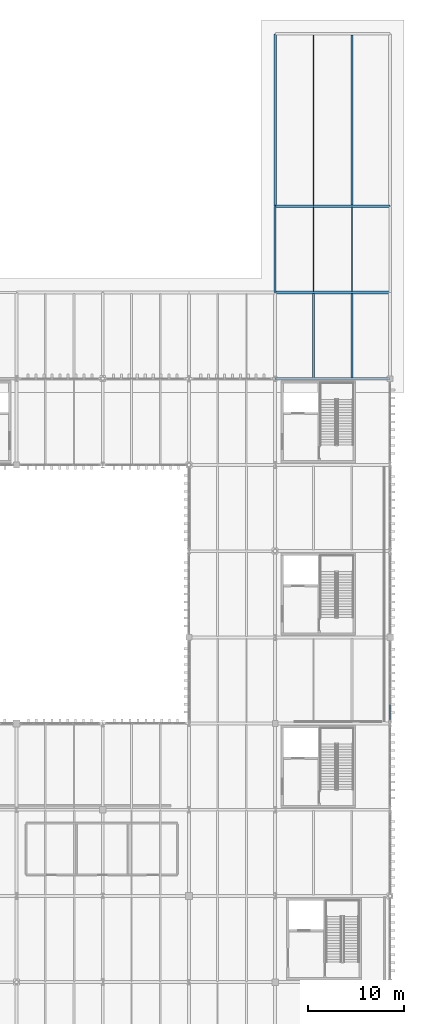
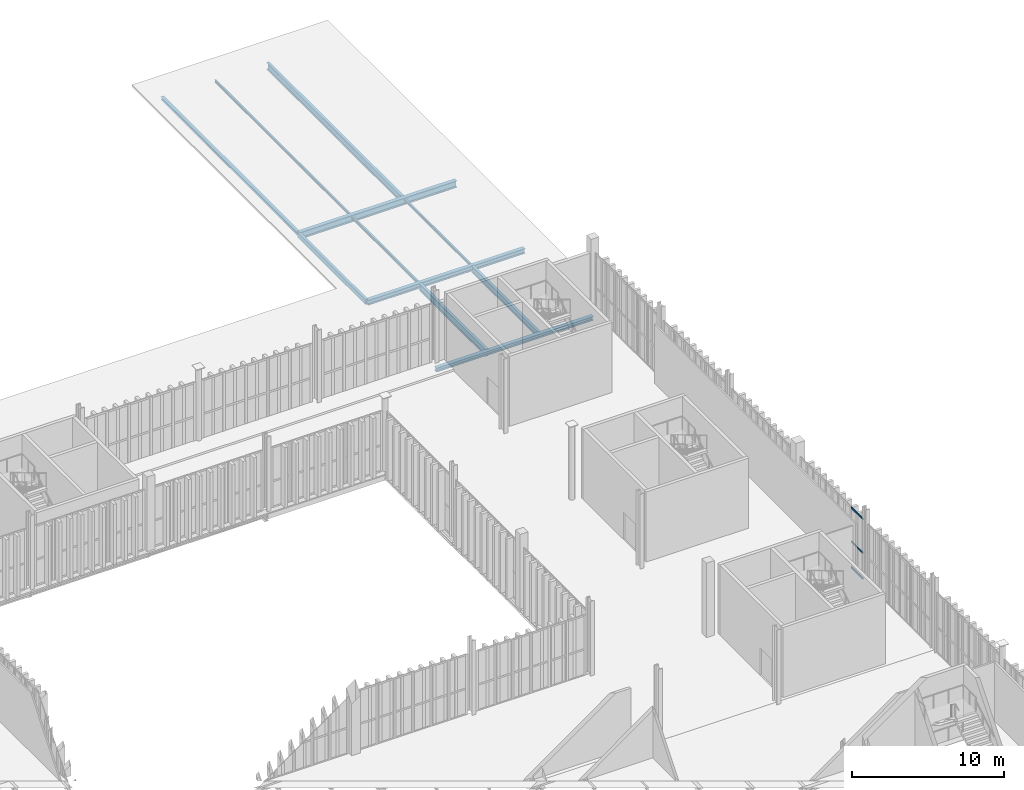
# One storey, part 160 of 237: 11 beams, 3 members, 1 element without a shape of its own.
"""IFC4 building model written with IfcOpenShell, lengths in metres."""

import ifcopenshell
import ifcopenshell.guid

model = None  # the IFC model being written
_history = None  # IfcOwnerHistory: only IFC2X3 demands one
_inside = {}  # id of a spatial element -> (the spatial element, [elements in it])
_under = {}  # id of a project, library or spatial element -> (it, [spatial elements below it])
_declared = {}  # id of a project -> (the project, [libraries it declares])
_typed = {}  # id of a type object -> (the type object, [elements of that type])
_made_of = {}  # id of a material, layer set ... -> (it, [elements and type objects made of it])


def new_model(schema):
    """Start an empty IFC model of exactly this schema.

    Asked for "IFC4X3", IfcOpenShell would pick the latest addendum, in which some entities
    have other attributes; the version numbers below select the first issue.
    IFC2X3 requires an IfcOwnerHistory on every rooted entity: one is made here for all.
    """
    global model, _history
    if schema == "IFC4X3":
        model = ifcopenshell.file(schema_version=(4, 3, 0, 0))
    else:
        model = ifcopenshell.file(schema=schema)
    _inside.clear()
    _under.clear()
    _declared.clear()
    _typed.clear()
    _made_of.clear()
    _history = None
    if model.schema == "IFC2X3":
        org = make("IfcOrganization", Name="unknown")
        user = make(
            "IfcPersonAndOrganization",
            ThePerson=make("IfcPerson", FamilyName="unknown"),
            TheOrganization=org,
        )
        app = make(
            "IfcApplication",
            ApplicationDeveloper=org,
            Version="unknown",
            ApplicationFullName="unknown",
            ApplicationIdentifier="unknown",
        )
        _history = make(
            "IfcOwnerHistory",
            OwningUser=user,
            OwningApplication=app,
            ChangeAction="ADDED",
            CreationDate=0,
        )
    return model


def make(cls, **values):
    """One entity of the class cls with the attributes given. An attribute that is None is left unset."""
    return model.create_entity(
        cls, **{name: value for name, value in values.items() if value is not None}
    )


def rooted(cls, **values):
    """An entity with a GlobalId (a new one), such as an element, a storey or a relation."""
    return make(cls, GlobalId=ifcopenshell.guid.new(), OwnerHistory=_history, **values)


def si_unit(unit_type, name, prefix=None):
    """IfcSIUnit, for example si_unit("LENGTHUNIT", "METRE", prefix="MILLI")."""
    return make("IfcSIUnit", UnitType=unit_type, Prefix=prefix, Name=name)


def assignment(units):
    """IfcUnitAssignment: the units of a project."""
    return None if units is None else make("IfcUnitAssignment", Units=units)


def point(xyz):
    """IfcCartesianPoint."""
    return None if xyz is None else make("IfcCartesianPoint", Coordinates=xyz)


def direction(xyz):
    """IfcDirection."""
    return None if xyz is None else make("IfcDirection", DirectionRatios=xyz)


def frame(location, z_axis=None, x_axis=None):
    """IfcAxis2Placement3D, a coordinate frame: its origin and axes. An axis left out is left unset."""
    return make(
        "IfcAxis2Placement3D",
        Location=point(location),
        Axis=direction(z_axis),
        RefDirection=direction(x_axis),
    )


def frame_2d(location, x_axis=None):
    """IfcAxis2Placement2D, a coordinate frame in the plane: its origin and x axis."""
    return make(
        "IfcAxis2Placement2D", Location=point(location), RefDirection=direction(x_axis)
    )


def origin():
    """The frame at (0, 0, 0) with its axes left unset."""
    return frame((0.0, 0.0, 0.0))


def origin_2d():
    """The frame at (0, 0) in the plane with its x axis left unset."""
    return frame_2d((0.0, 0.0))


def place(relative_to, where):
    """IfcLocalPlacement: puts the frame where relative to a parent placement (None: the world)."""
    return make(
        "IfcLocalPlacement", PlacementRelTo=relative_to, RelativePlacement=where
    )


def context(
    kind, dimensions, precision=None, world=None, true_north=None, identifier=None
):
    """IfcGeometricRepresentationContext, for example the 3D "Model" context."""
    return make(
        "IfcGeometricRepresentationContext",
        ContextIdentifier=identifier,
        ContextType=kind,
        CoordinateSpaceDimension=dimensions,
        Precision=precision,
        WorldCoordinateSystem=world,
        TrueNorth=true_north,
    )


def subcontext(parent, identifier, kind, view, scale=None):
    """IfcGeometricRepresentationSubContext, for example "Body" below "Model"."""
    return make(
        "IfcGeometricRepresentationSubContext",
        ContextIdentifier=identifier,
        ContextType=kind,
        ParentContext=parent,
        TargetScale=scale,
        TargetView=view,
    )


def project(units=None, contexts=None):
    """IfcProject with its units and contexts."""
    return rooted(
        "IfcProject",
        Name="project",
        RepresentationContexts=contexts,
        UnitsInContext=assignment(units),
    )


def spatial(cls, under=None, at=None, **own):
    """A site, building, storey or space (cls), placed at a placement, below another one or the project."""
    s = rooted(cls, ObjectPlacement=at, **own)
    if under is not None:
        _under.setdefault(under.id(), (under, []))[1].append(s)
    return s


def profile(cls, at=None, kind="AREA", **sizes):
    """A parametric profile (cls). Its sizes go by their IFC names, for example OverallWidth=200.0."""
    return make(cls, ProfileType=kind, Position=at, **sizes)


def hollow_rectangle(**sizes):
    """IfcRectangleHollowProfileDef."""
    return profile("IfcRectangleHollowProfileDef", **sizes)


def i_section(**sizes):
    """IfcIShapeProfileDef."""
    return profile("IfcIShapeProfileDef", **sizes)


def extrude(swept, where, along, depth):
    """IfcExtrudedAreaSolid: the profile swept, set in the frame where, extruded along a direction by depth."""
    return make(
        "IfcExtrudedAreaSolid",
        SweptArea=swept,
        Position=where,
        ExtrudedDirection=direction(along),
        Depth=depth,
    )


def shape(context_of_items, identifier, shape_type, items):
    """IfcShapeRepresentation: the items that make up one representation, for example the "Body"."""
    return make(
        "IfcShapeRepresentation",
        ContextOfItems=context_of_items,
        RepresentationIdentifier=identifier,
        RepresentationType=shape_type,
        Items=items,
    )


def material(Name=None, Category=None):
    """IfcMaterial."""
    return make("IfcMaterial", Name=Name, Category=Category)


def layer(
    of_material, thickness, ventilated=None, Name=None, Category=None, Priority=None
):
    """IfcMaterialLayer: one layer of a wall or slab, of a material (None: an air gap)."""
    return make(
        "IfcMaterialLayer",
        Material=of_material,
        LayerThickness=thickness,
        IsVentilated=ventilated,
        Name=Name,
        Category=Category,
        Priority=Priority,
    )


def layer_set(layers, Name=None):
    """IfcMaterialLayerSet."""
    return make("IfcMaterialLayerSet", MaterialLayers=layers, LayerSetName=Name)


def material_profile(
    of_material, cross_section, Name=None, Category=None, Priority=None
):
    """IfcMaterialProfile: a cross section and its material."""
    return make(
        "IfcMaterialProfile",
        Name=Name,
        Material=of_material,
        Profile=cross_section,
        Priority=Priority,
        Category=Category,
    )


def profile_set(profiles, Name=None, composite=None):
    """IfcMaterialProfileSet."""
    return make(
        "IfcMaterialProfileSet",
        Name=Name,
        MaterialProfiles=profiles,
        CompositeProfile=composite,
    )


def made_of(thing, what):
    """Note that an element or type object is made of a material, layer set ...; save() writes the relation."""
    if what is not None:
        _made_of.setdefault(what.id(), (what, []))[1].append(thing)
    return thing


def type_object(cls, material=None, **own):
    """A type object (cls), such as IfcWallType, which elements share."""
    return made_of(rooted(cls, **own), material)


def element(
    cls,
    number,
    at=None,
    inside=None,
    cuts=None,
    type_object=None,
    material=None,
    context=None,
    identifier="Body",
    shape_type=None,
    held_by="IfcProductDefinitionShape",
    body=None,
    shapes=None,
    **own,
):
    """One element of the class cls, such as IfcWall. Its Tag is "e" and its number.

    at: its placement. inside: the storey or other place that contains it. cuts: it is an
    opening in that element (IfcRelVoidsElement). A single representation is given by context,
    identifier, shape_type and body (its items); several are given by shapes. held_by: the class
    of the entity that holds the representations. save() writes the other relations.
    """
    e = rooted(cls, Tag="e%d" % number, ObjectPlacement=at, **own)
    if body is not None:
        shapes = [shape(context, identifier, shape_type, body)]
    if shapes is not None:
        e.Representation = make(held_by, Representations=shapes)
    if inside is not None:
        _inside.setdefault(inside.id(), (inside, []))[1].append(e)
    if cuts is not None:
        rooted(
            "IfcRelVoidsElement", RelatingBuildingElement=cuts, RelatedOpeningElement=e
        )
    if type_object is not None:
        _typed.setdefault(type_object.id(), (type_object, []))[1].append(e)
    return made_of(e, material)


def aggregate(whole, parts):
    """IfcRelAggregates: a whole, such as a stair, and the parts it consists of."""
    return rooted("IfcRelAggregates", RelatingObject=whole, RelatedObjects=parts)


def save(model, path):
    """Write the relations noted so far, then the file.

    IfcRelAggregates (storeys below a building ...), IfcRelContainedInSpatialStructure (elements
    in a storey), IfcRelDefinesByType, IfcRelAssociatesMaterial and IfcRelDeclares: one each for
    every whole, place, type object, material and project.
    """
    for whole, parts in _under.values():
        aggregate(whole, parts)
    for where, things in _inside.values():
        rooted(
            "IfcRelContainedInSpatialStructure",
            RelatedElements=things,
            RelatingStructure=where,
        )
    for kind, things in _typed.values():
        rooted("IfcRelDefinesByType", RelatedObjects=things, RelatingType=kind)
    for what, things in _made_of.values():
        rooted("IfcRelAssociatesMaterial", RelatedObjects=things, RelatingMaterial=what)
    for by, libraries in _declared.values():
        rooted("IfcRelDeclares", RelatingContext=by, RelatedDefinitions=libraries)
    model.write(path)


model = new_model("IFC4")

# Units and contexts
model_context = context("Model", 3, precision=1e-05, world=origin(), true_north=direction((0.0, 1.0)))
body_context = subcontext(model_context, "Body", "Model", "MODEL_VIEW")
ifc_project = project(units=[si_unit("LENGTHUNIT", "METRE"), si_unit("AREAUNIT", "SQUARE_METRE"), si_unit("VOLUMEUNIT", "CUBIC_METRE"), si_unit("PLANEANGLEUNIT", "RADIAN"), si_unit("MASSUNIT", "GRAM", prefix="KILO")], contexts=[model_context])

# Site, building, storey
site_placement = place(None, origin())
site = spatial("IfcSite", under=ifc_project, at=site_placement, CompositionType="ELEMENT")
building_placement = place(site_placement, origin())
building = spatial("IfcBuilding", under=site, at=building_placement, Name="Barlavento Convention Centre", CompositionType="ELEMENT")
storey_placement = place(building_placement, frame((0.0, 0.0, 12.0)))
storey = spatial("IfcBuildingStorey", under=building, at=storey_placement, Name="L02", CompositionType="ELEMENT", Elevation=12.0)

# Curtain wall, members
ifc_material_1 = material(Name="Powder-coated aluminium and Low-E glass", Category="aluminium")
ifc_layer = layer(ifc_material_1, 0.195068359375)
ifc_layer_set = layer_set([ifc_layer], Name="ARC-CW-BALL-L02")
curtain_wall_type = type_object("IfcCurtainWallType", Name="ARC-CW-BALL-L02", PredefinedType="NOTDEFINED", material=ifc_layer_set)
curtain_wall_placement = place(storey_placement, origin())
curtain_wall = element("IfcCurtainWall", 1, at=curtain_wall_placement, inside=storey, type_object=curtain_wall_type, Name="L02 unitised curtain wall CW07", PredefinedType="NOTDEFINED")
ifc_material_2 = material(Name="Powder-coated aluminium", Category="aluminium")
ifc_material_profile_1 = material_profile(ifc_material_2, hollow_rectangle(XDim=0.06005859375, YDim=0.139892578125, WallThickness=0.00390625, at=origin_2d()), Name="AL-TRAN 60x140x4")
ifc_profile_set_1 = profile_set([ifc_material_profile_1], Name="Powder-coated aluminium")
member_type = type_object("IfcMemberType", Name="ARC-CWT-60X140", PredefinedType="USERDEFINED", material=ifc_profile_set_1)
member_1_placement = place(storey_placement, frame((192.0, 63.39208984375, 0.030029296875), z_axis=(0.0, 1.0, 0.0), x_axis=(-1.0, 0.0, 0.0)))
member_1 = element("IfcMember", 2, at=member_1_placement, type_object=member_type, Name="CW07 transom 1.1", ObjectType="TRANSOM", PredefinedType="USERDEFINED", context=body_context, shape_type="SweptSolid", body=[
    extrude(hollow_rectangle(XDim=0.06005859375, YDim=0.139892578125, WallThickness=0.00390625, at=origin_2d()), origin(), (0.0, 0.0, 1.0), 1.5595703125),
])
member_2_placement = place(storey_placement, frame((192.0, 63.39208984375, 2.10009765625), z_axis=(0.0, 1.0, 0.0), x_axis=(-1.0, 0.0, 0.0)))
member_2 = element("IfcMember", 3, at=member_2_placement, type_object=member_type, Name="CW07 transom 1.2", ObjectType="TRANSOM", PredefinedType="USERDEFINED", context=body_context, shape_type="SweptSolid", body=[
    extrude(hollow_rectangle(XDim=0.06005859375, YDim=0.139892578125, WallThickness=0.00390625, at=origin_2d()), origin(), (0.0, 0.0, 1.0), 1.5595703125),
])
member_3_placement = place(storey_placement, frame((192.0, 63.39208984375, 4.820068359375), z_axis=(0.0, 1.0, 0.0), x_axis=(-1.0, 0.0, 0.0)))
member_3 = element("IfcMember", 4, at=member_3_placement, type_object=member_type, Name="CW07 transom 1.3", ObjectType="TRANSOM", PredefinedType="USERDEFINED", context=body_context, shape_type="SweptSolid", body=[
    extrude(hollow_rectangle(XDim=0.06005859375, YDim=0.139892578125, WallThickness=0.00390625, at=origin_2d()), origin(), (0.0, 0.0, 1.0), 1.5595703125),
])
aggregate(curtain_wall, [member_1, member_2, member_3])

# Beams
ifc_material_3 = material(Name="Steel S355", Category="steel")
ifc_material_profile_2 = material_profile(ifc_material_3, i_section(OverallWidth=0.110107421875, OverallDepth=0.219970703125, WebThickness=0.005859375, FlangeThickness=0.00927734375, FilletRadius=0.011962890625, at=origin_2d()), Name="IPE 220")
ifc_profile_set_2 = profile_set([ifc_material_profile_2], Name="Steel S355")
beam_type_1 = type_object("IfcBeamType", Name="STR-BM-JST-IPE220", PredefinedType="JOIST", material=ifc_profile_set_2)
beam_1_placement = place(storey_placement, frame((188.0, 108.094970703125, -0.47509765625), z_axis=(0.0, 1.0, 0.0), x_axis=(-1.0, 0.0, 0.0)))
element("IfcBeam", 5, at=beam_1_placement, inside=storey, type_object=beam_type_1, Name="L02 composite floor joist SJ10", PredefinedType="JOIST", context=body_context, shape_type="SweptSolid", body=[
    extrude(i_section(OverallWidth=0.110107421875, OverallDepth=0.219970703125, WebThickness=0.005859375, FlangeThickness=0.00927734375, FilletRadius=0.011962890625, at=origin_2d()), origin(), (0.0, 0.0, 1.0), 8.81005859375),
])
beam_2_placement = place(storey_placement, frame((184.0, 117.094970703125, -0.47509765625), z_axis=(0.0, 1.0, 0.0), x_axis=(-1.0, 0.0, 0.0)))
element("IfcBeam", 6, at=beam_2_placement, inside=storey, type_object=beam_type_1, Name="L02 composite floor joist SJ10", PredefinedType="JOIST", context=body_context, shape_type="SweptSolid", body=[
    extrude(i_section(OverallWidth=0.110107421875, OverallDepth=0.219970703125, WebThickness=0.005859375, FlangeThickness=0.00927734375, FilletRadius=0.011962890625, at=origin_2d()), origin(), (0.0, 0.0, 1.0), 17.81005859375),
])
ifc_material_profile_3 = material_profile(ifc_material_3, i_section(OverallWidth=0.1201171875, OverallDepth=0.239990234375, WebThickness=0.006103515625, FlangeThickness=0.009765625, FilletRadius=0.014892578125, at=origin_2d()), Name="IPE 240")
ifc_profile_set_3 = profile_set([ifc_material_profile_3], Name="Steel S355")
beam_type_2 = type_object("IfcBeamType", Name="STR-BM-JST-IPE240", PredefinedType="JOIST", material=ifc_profile_set_3)
beam_3_placement = place(storey_placement, frame((184.0, 108.094970703125, -0.485107421875), z_axis=(0.0, 1.0, 0.0), x_axis=(-1.0, 0.0, 0.0)))
element("IfcBeam", 7, at=beam_3_placement, inside=storey, type_object=beam_type_2, Name="L02 composite floor joist SJ09", PredefinedType="JOIST", context=body_context, shape_type="SweptSolid", body=[
    extrude(i_section(OverallWidth=0.1201171875, OverallDepth=0.239990234375, WebThickness=0.006103515625, FlangeThickness=0.009765625, FilletRadius=0.014892578125, at=origin_2d()), origin(), (0.0, 0.0, 1.0), 8.81005859375),
])
ifc_material_profile_4 = material_profile(ifc_material_3, i_section(OverallWidth=0.199951171875, OverallDepth=0.5, WebThickness=0.01025390625, FlangeThickness=0.01611328125, FilletRadius=0.02099609375, at=origin_2d()), Name="IPE 500")
ifc_profile_set_4 = profile_set([ifc_material_profile_4], Name="Steel S355")
beam_type_3 = type_object("IfcBeamType", Name="STR-BM-JST-IPE500", PredefinedType="JOIST", material=ifc_profile_set_4)
beam_4_placement = place(storey_placement, frame((188.0, 99.094970703125, -0.614990234375), z_axis=(0.0, 1.0, 0.0), x_axis=(-1.0, 0.0, 0.0)))
element("IfcBeam", 8, at=beam_4_placement, inside=storey, type_object=beam_type_3, Name="L02 composite floor joist SJ02", PredefinedType="JOIST", context=body_context, shape_type="SweptSolid", body=[
    extrude(i_section(OverallWidth=0.199951171875, OverallDepth=0.5, WebThickness=0.01025390625, FlangeThickness=0.01611328125, FilletRadius=0.02099609375, at=origin_2d()), origin(), (0.0, 0.0, 1.0), 8.81005859375),
])
ifc_material_profile_5 = material_profile(ifc_material_3, i_section(OverallWidth=0.2099609375, OverallDepth=0.550048828125, WebThickness=0.010986328125, FlangeThickness=0.01708984375, FilletRadius=0.02392578125, at=origin_2d()), Name="IPE 550")
ifc_profile_set_5 = profile_set([ifc_material_profile_5], Name="Steel S355")
beam_type_4 = type_object("IfcBeamType", Name="STR-BM-JST-IPE550", PredefinedType="JOIST", material=ifc_profile_set_5)
beam_5_placement = place(storey_placement, frame((184.0, 99.094970703125, -0.639892578125), z_axis=(0.0, 1.0, 0.0), x_axis=(-1.0, 0.0, 0.0)))
element("IfcBeam", 9, at=beam_5_placement, inside=storey, type_object=beam_type_4, Name="L02 composite floor joist SJ01", PredefinedType="JOIST", context=body_context, shape_type="SweptSolid", body=[
    extrude(i_section(OverallWidth=0.2099609375, OverallDepth=0.550048828125, WebThickness=0.010986328125, FlangeThickness=0.01708984375, FilletRadius=0.02392578125, at=origin_2d()), origin(), (0.0, 0.0, 1.0), 8.81005859375),
])
beam_6_placement = place(storey_placement, frame((188.0, 117.094970703125, -0.639892578125), z_axis=(0.0, 1.0, 0.0), x_axis=(-1.0, 0.0, 0.0)))
element("IfcBeam", 10, at=beam_6_placement, inside=storey, type_object=beam_type_4, Name="L02 composite floor joist SJ01", PredefinedType="JOIST", context=body_context, shape_type="SweptSolid", body=[
    extrude(i_section(OverallWidth=0.2099609375, OverallDepth=0.550048828125, WebThickness=0.010986328125, FlangeThickness=0.01708984375, FilletRadius=0.02392578125, at=origin_2d()), origin(), (0.0, 0.0, 1.0), 17.81005859375),
])
ifc_material_profile_6 = material_profile(ifc_material_3, i_section(OverallWidth=0.300048828125, OverallDepth=0.320068359375, WebThickness=0.011474609375, FlangeThickness=0.0205078125, FilletRadius=0.027099609375, at=origin_2d()), Name="HEB 320")
ifc_profile_set_6 = profile_set([ifc_material_profile_6], Name="Steel S355")
beam_type_5 = type_object("IfcBeamType", Name="STR-BM-PRI-HEB320", PredefinedType="BEAM", material=ifc_profile_set_6)
beam_7_placement = place(storey_placement, frame((180.02001953125, 99.0, -0.52490234375), z_axis=(1.0, 0.0, 0.0), x_axis=(0.0, 1.0, 0.0)))
element("IfcBeam", 11, at=beam_7_placement, inside=storey, type_object=beam_type_5, Name="L02 primary girder BG13", PredefinedType="BEAM", context=body_context, shape_type="SweptSolid", body=[
    extrude(i_section(OverallWidth=0.300048828125, OverallDepth=0.320068359375, WebThickness=0.011474609375, FlangeThickness=0.0205078125, FilletRadius=0.027099609375, at=origin_2d()), origin(), (0.0, 0.0, 1.0), 11.9599609375),
])
ifc_material_profile_7 = material_profile(ifc_material_3, i_section(OverallWidth=0.300048828125, OverallDepth=0.39990234375, WebThickness=0.013427734375, FlangeThickness=0.02392578125, FilletRadius=0.027099609375, at=origin_2d()), Name="HEB 400")
ifc_profile_set_7 = profile_set([ifc_material_profile_7], Name="Steel S355")
beam_type_6 = type_object("IfcBeamType", Name="STR-BM-PRI-HEB400", PredefinedType="BEAM", material=ifc_profile_set_7)
beam_8_placement = place(storey_placement, frame((180.02001953125, 108.0, -0.56494140625), z_axis=(1.0, 0.0, 0.0), x_axis=(0.0, 1.0, 0.0)))
element("IfcBeam", 12, at=beam_8_placement, inside=storey, type_object=beam_type_6, Name="L02 primary girder BG11", PredefinedType="BEAM", context=body_context, shape_type="SweptSolid", body=[
    extrude(i_section(OverallWidth=0.300048828125, OverallDepth=0.39990234375, WebThickness=0.013427734375, FlangeThickness=0.02392578125, FilletRadius=0.027099609375, at=origin_2d()), origin(), (0.0, 0.0, 1.0), 11.9599609375),
])
ifc_material_profile_8 = material_profile(ifc_material_3, i_section(OverallWidth=0.300048828125, OverallDepth=0.550048828125, WebThickness=0.014892578125, FlangeThickness=0.029052734375, FilletRadius=0.027099609375, at=origin_2d()), Name="HEB 550")
ifc_profile_set_8 = profile_set([ifc_material_profile_8], Name="Steel S355")
beam_type_7 = type_object("IfcBeamType", Name="STR-BM-PRI-HEB550", PredefinedType="BEAM", material=ifc_profile_set_8)
beam_9_placement = place(storey_placement, frame((180.02001953125, 117.0, -0.639892578125), z_axis=(1.0, 0.0, 0.0), x_axis=(0.0, 1.0, 0.0)))
element("IfcBeam", 13, at=beam_9_placement, inside=storey, type_object=beam_type_7, Name="L02 primary girder BG08", PredefinedType="BEAM", context=body_context, shape_type="SweptSolid", body=[
    extrude(i_section(OverallWidth=0.300048828125, OverallDepth=0.550048828125, WebThickness=0.014892578125, FlangeThickness=0.029052734375, FilletRadius=0.027099609375, at=origin_2d()), origin(), (0.0, 0.0, 1.0), 11.9599609375),
])
ifc_material_profile_9 = material_profile(ifc_material_3, i_section(OverallWidth=0.239990234375, OverallDepth=0.22998046875, WebThickness=0.007568359375, FlangeThickness=0.011962890625, FilletRadius=0.02099609375, at=origin_2d()), Name="HEA 240")
ifc_profile_set_9 = profile_set([ifc_material_profile_9], Name="Steel S355")
beam_type_8 = type_object("IfcBeamType", Name="STR-BM-SPN-HEA240", PredefinedType="SPANDREL", material=ifc_profile_set_9)
beam_10_placement = place(storey_placement, frame((180.0, 117.02001953125, -0.47998046875), z_axis=(0.0, 1.0, 0.0), x_axis=(-1.0, 0.0, 0.0)))
element("IfcBeam", 14, at=beam_10_placement, inside=storey, type_object=beam_type_8, Name="L02 grid girder SP05", PredefinedType="SPANDREL", context=body_context, shape_type="SweptSolid", body=[
    extrude(i_section(OverallWidth=0.239990234375, OverallDepth=0.22998046875, WebThickness=0.007568359375, FlangeThickness=0.011962890625, FilletRadius=0.02099609375, at=origin_2d()), origin(), (0.0, 0.0, 1.0), 17.9599609375),
])
ifc_material_profile_10 = material_profile(ifc_material_3, hollow_rectangle(XDim=0.199951171875, YDim=0.39990234375, WallThickness=0.01611328125, at=origin_2d()), Name="RHS 400x200x16.0")
ifc_profile_set_10 = profile_set([ifc_material_profile_10], Name="Steel S355")
beam_type_9 = type_object("IfcBeamType", Name="STR-BM-SPN-RHS400", PredefinedType="SPANDREL", material=ifc_profile_set_10)
beam_11_placement = place(storey_placement, frame((180.0, 108.02001953125, -0.56494140625), z_axis=(0.0, 1.0, 0.0), x_axis=(-1.0, 0.0, 0.0)))
element("IfcBeam", 15, at=beam_11_placement, inside=storey, type_object=beam_type_9, Name="L02 grid girder SP06", PredefinedType="SPANDREL", context=body_context, shape_type="SweptSolid", body=[
    extrude(hollow_rectangle(XDim=0.199951171875, YDim=0.39990234375, WallThickness=0.01611328125, at=origin_2d()), origin(), (0.0, 0.0, 1.0), 8.9599609375),
])

save(model, "model.ifc")
